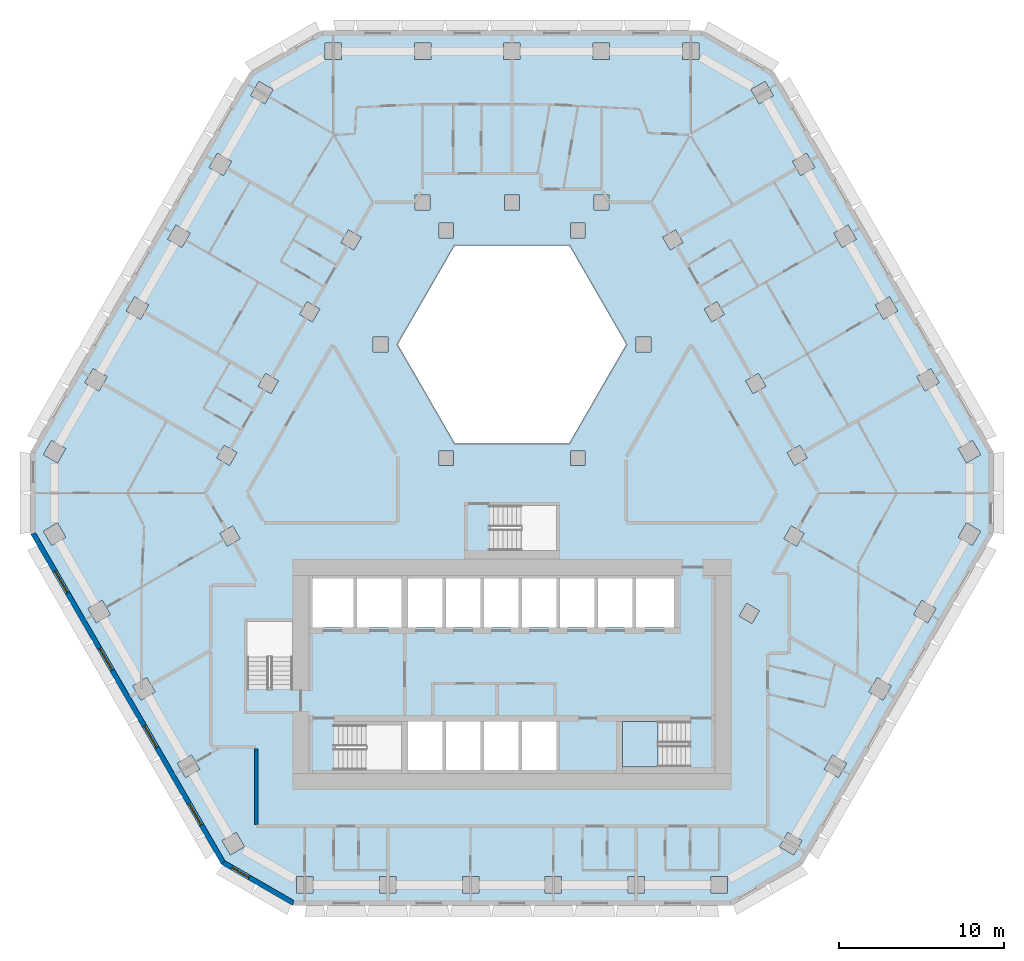
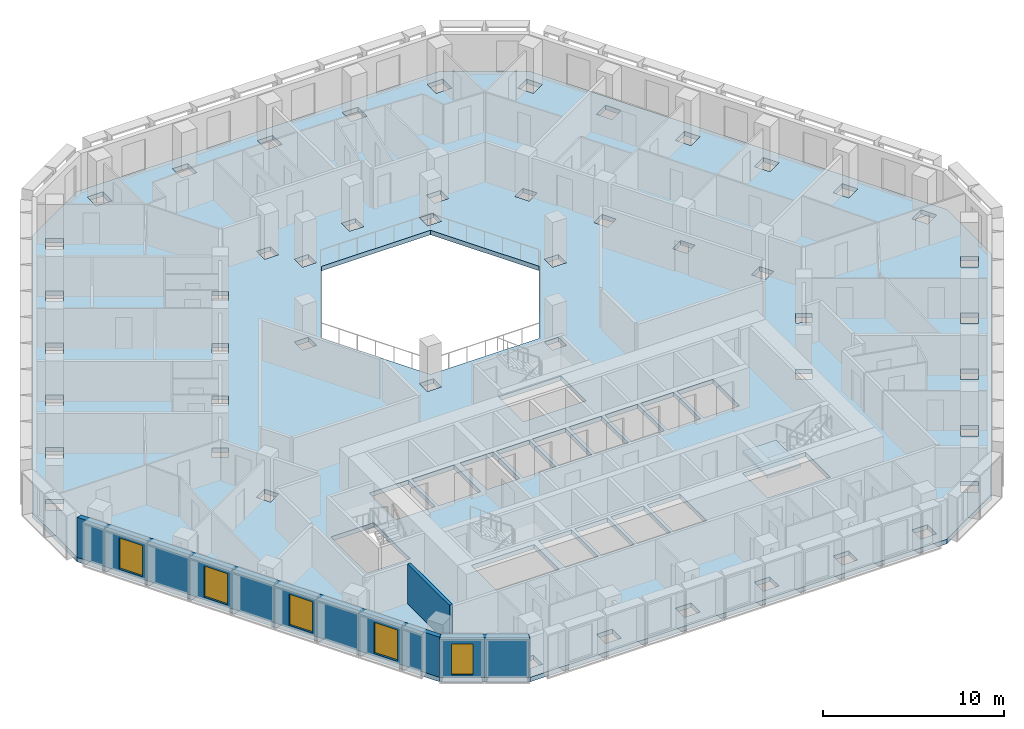
# One storey, part 2 of 15: 5 windows, 3 walls, 2 slabs, 5 openings, 1 element without a shape of its own.
"""IFC4 building model written with IfcOpenShell, lengths in metres."""

from ifc_helpers import new_model, si_unit, direction, frame, frame_2d, origin, place, context, subcontext, project, spatial, polyline, rectangle, outline, extrude, material, layer, layer_set, type_object, element, fill, aggregate, save


model = new_model("IFC4")

# Units and contexts
model_context = context("Model", 3, precision=1e-05, world=origin(), true_north=direction((0.0, 1.0)))
body_context = subcontext(model_context, "Body", "Model", "MODEL_VIEW")
ifc_project = project(units=[si_unit("LENGTHUNIT", "METRE"), si_unit("AREAUNIT", "SQUARE_METRE"), si_unit("VOLUMEUNIT", "CUBIC_METRE"), si_unit("PLANEANGLEUNIT", "RADIAN"), si_unit("MASSUNIT", "GRAM", prefix="KILO")], contexts=[model_context])

# Site, building, storey
site_placement = place(None, origin())
site = spatial("IfcSite", under=ifc_project, at=site_placement, CompositionType="ELEMENT")
building_placement = place(site_placement, origin())
building = spatial("IfcBuilding", under=site, at=building_placement, Name="Beryl Residences", CompositionType="ELEMENT")
storey_placement = place(building_placement, frame((0.0, 0.0, 78.0)))
storey = spatial("IfcBuildingStorey", under=building, at=storey_placement, Name="L23", CompositionType="ELEMENT", Elevation=78.0)

# Slab
ifc_material_1 = material(Name="Concrete C40/50", Category="concrete")
ifc_layer_1 = layer(ifc_material_1, 0.300048828125)
ifc_layer_set_1 = layer_set([ifc_layer_1], Name="SL7 PT floor slab 300 mm C40/50")
slab_type_1 = type_object("IfcSlabType", Name="SL7 PT floor slab 300 mm C40/50", PredefinedType="FLOOR", material=ifc_layer_set_1)
slab_1_placement = place(storey_placement, frame((0.0, 0.0, -0.300048828125)))
element("IfcSlab", 1, at=slab_1_placement, inside=storey, type_object=slab_type_1, Name="L23 slab 1", PredefinedType="FLOOR", context=body_context, shape_type="SweptSolid", body=[
    extrude(outline(polyline([(29.156982421875, -3.5), (17.60888671875, -23.5), (13.279052734375, -26.0), (-13.279052734375, -26.0), (-17.60888671875, -23.5), (-29.156982421875, -3.5), (-29.156982421875, 1.5), (-15.876953125, 24.5), (-11.547119140625, 27.0), (11.547119140625, 27.0), (15.876953125, 24.5), (29.156982421875, 1.5), (29.156982421875, -3.5)]), holes=[polyline([(28.39697265625, 1.31591796875), (27.89697265625, 2.181884765625), (27.031005859375, 1.681884765625), (27.531005859375, 0.81591796875), (28.39697265625, 1.31591796875)]), polyline([(28.39697265625, -3.31591796875), (27.531005859375, -2.81591796875), (27.031005859375, -3.681884765625), (27.89697265625, -4.181884765625), (28.39697265625, -3.31591796875)]), polyline([(25.385009765625, 6.532958984375), (24.51904296875, 6.032958984375), (25.01904296875, 5.1669921875), (25.885009765625, 5.6669921875), (25.385009765625, 6.532958984375)]), polyline([(25.68994140625, -8.00390625), (24.823974609375, -7.50390625), (24.323974609375, -8.3701171875), (25.18994140625, -8.8701171875), (25.68994140625, -8.00390625)]), polyline([(22.873046875, 10.883056640625), (22.007080078125, 10.383056640625), (22.507080078125, 9.51708984375), (23.373046875, 10.01708984375), (22.873046875, 10.883056640625)]), polyline([(22.116943359375, -12.19189453125), (21.616943359375, -13.05810546875), (22.48291015625, -13.55810546875), (22.98291015625, -12.69189453125), (22.116943359375, -12.19189453125)]), polyline([(20.362060546875, 15.23291015625), (19.49609375, 14.73291015625), (19.99609375, 13.866943359375), (20.862060546875, 14.366943359375), (20.362060546875, 15.23291015625)]), polyline([(19.777099609375, -18.24609375), (20.277099609375, -17.3798828125), (19.410888671875, -16.8798828125), (18.910888671875, -17.74609375), (19.777099609375, -18.24609375)]), polyline([(17.85009765625, 19.5830078125), (16.98388671875, 19.0830078125), (17.48388671875, 18.217041015625), (18.35009765625, 18.717041015625), (17.85009765625, 19.5830078125)]), polyline([(17.443115234375, 1.888916015625), (16.6630859375, 1.43896484375), (17.113037109375, 0.658935546875), (17.89306640625, 1.10888671875), (17.443115234375, 1.888916015625)]), polyline([(17.697998046875, -3.447021484375), (16.91796875, -2.9970703125), (16.468017578125, -3.777099609375), (17.248046875, -4.22705078125), (17.697998046875, -3.447021484375)]), polyline([(17.570068359375, -22.068115234375), (16.7041015625, -21.568115234375), (16.2041015625, -22.43408203125), (17.070068359375, -22.93408203125), (17.570068359375, -22.068115234375)]), polyline([(15.839111328125, 23.06689453125), (15.339111328125, 23.93310546875), (14.472900390625, 23.43310546875), (14.972900390625, 22.56689453125), (15.839111328125, 23.06689453125)]), polyline([(14.930908203125, 6.239990234375), (14.15087890625, 5.7900390625), (14.60107421875, 5.010009765625), (15.381103515625, 5.4599609375), (14.930908203125, 6.239990234375)]), polyline([(14.990966796875, -8.135009765625), (14.2109375, -7.68505859375), (13.760986328125, -8.465087890625), (14.541015625, -8.9150390625), (14.990966796875, -8.135009765625)]), polyline([(13.05810546875, -25.25), (13.05810546875, -24.25), (12.05810546875, -24.25), (12.05810546875, -25.25), (13.05810546875, -25.25)]), polyline([(12.419921875, 10.590087890625), (11.639892578125, 10.139892578125), (12.090087890625, 9.360107421875), (12.8701171875, 9.81005859375), (12.419921875, 10.590087890625)]), polyline([(11.324951171875, 26.25), (10.324951171875, 26.25), (10.324951171875, 25.25), (11.324951171875, 25.25), (11.324951171875, 26.25)]), polyline([(10.699951171875, -14.85009765625), (6.699951171875, -14.85009765625), (6.699951171875, -17.60009765625), (10.699951171875, -17.60009765625), (10.699951171875, -14.85009765625)]), polyline([(9.1279296875, 14.489990234375), (9.577880859375, 13.7099609375), (10.35791015625, 14.159912109375), (9.907958984375, 14.93994140625), (9.1279296875, 14.489990234375)]), polyline([(9.800048828125, -6.199951171875), (7.5, -6.199951171875), (7.5, -9.14990234375), (9.800048828125, -9.14990234375), (9.800048828125, -6.199951171875)]), polyline([(8.4169921875, 7.550048828125), (8.4169921875, 8.449951171875), (7.51708984375, 8.449951171875), (7.51708984375, 7.550048828125), (8.4169921875, 7.550048828125)]), polyline([(8.034912109375, -25.25), (8.034912109375, -24.25), (7.034912109375, -24.25), (7.034912109375, -25.25), (8.034912109375, -25.25)]), polyline([(5.199951171875, -6.199951171875), (5.199951171875, -9.14990234375), (7.300048828125, -9.14990234375), (7.300048828125, -6.199951171875), (5.199951171875, -6.199951171875)]), polyline([(3.464111328125, 14.0), (-3.464111328125, 14.0), (-6.92822265625, 8.0), (-3.464111328125, 2.0), (3.464111328125, 2.0), (6.92822265625, 8.0), (3.464111328125, 14.0)]), polyline([(4.912109375, 26.25), (4.912109375, 25.25), (5.912109375, 25.25), (5.912109375, 26.25), (4.912109375, 26.25)]), polyline([(4.9619140625, 17.050048828125), (4.9619140625, 16.14990234375), (5.862060546875, 16.14990234375), (5.862060546875, 17.050048828125), (4.9619140625, 17.050048828125)]), polyline([(2.89990234375, -9.14990234375), (5.0, -9.14990234375), (5.0, -6.199951171875), (2.89990234375, -6.199951171875), (2.89990234375, -9.14990234375)]), polyline([(4.43408203125, 14.449951171875), (4.43408203125, 15.35009765625), (3.533935546875, 15.35009765625), (3.533935546875, 14.449951171875), (4.43408203125, 14.449951171875)]), polyline([(4.43408203125, 0.64990234375), (4.43408203125, 1.550048828125), (3.533935546875, 1.550048828125), (3.533935546875, 0.64990234375), (4.43408203125, 0.64990234375)]), polyline([(2.011962890625, -25.25), (3.011962890625, -25.25), (3.011962890625, -24.25), (2.011962890625, -24.25), (2.011962890625, -25.25)]), polyline([(0.60009765625, -6.199951171875), (0.60009765625, -9.14990234375), (2.699951171875, -9.14990234375), (2.699951171875, -6.199951171875), (0.60009765625, -6.199951171875)]), polyline([(0.60009765625, -17.800048828125), (2.699951171875, -17.800048828125), (2.699951171875, -14.85009765625), (0.60009765625, -14.85009765625), (0.60009765625, -17.800048828125)]), polyline([(-1.300048828125, -1.75), (-1.300048828125, -4.5), (2.699951171875, -4.5), (2.699951171875, -1.75), (-1.300048828125, -1.75)]), polyline([(-0.5009765625, 25.25), (0.4990234375, 25.25), (0.4990234375, 26.25), (-0.5009765625, 26.25), (-0.5009765625, 25.25)]), polyline([(-0.450927734375, 17.050048828125), (-0.450927734375, 16.14990234375), (0.448974609375, 16.14990234375), (0.448974609375, 17.050048828125), (-0.450927734375, 17.050048828125)]), polyline([(-1.699951171875, -9.14990234375), (0.39990234375, -9.14990234375), (0.39990234375, -6.199951171875), (-1.699951171875, -6.199951171875), (-1.699951171875, -9.14990234375)]), polyline([(-1.699951171875, -17.800048828125), (0.39990234375, -17.800048828125), (0.39990234375, -14.85009765625), (-1.699951171875, -14.85009765625), (-1.699951171875, -17.800048828125)]), polyline([(-4.0, -9.14990234375), (-1.89990234375, -9.14990234375), (-1.89990234375, -6.199951171875), (-4.0, -6.199951171875), (-4.0, -9.14990234375)]), polyline([(-4.0, -17.800048828125), (-1.89990234375, -17.800048828125), (-1.89990234375, -14.85009765625), (-4.0, -14.85009765625), (-4.0, -17.800048828125)]), polyline([(-2.010986328125, -25.25), (-2.010986328125, -24.25), (-3.010986328125, -24.25), (-3.010986328125, -25.25), (-2.010986328125, -25.25)]), polyline([(-3.533935546875, 14.449951171875), (-3.533935546875, 15.35009765625), (-4.43408203125, 15.35009765625), (-4.43408203125, 14.449951171875), (-3.533935546875, 14.449951171875)]), polyline([(-3.533935546875, 0.64990234375), (-3.533935546875, 1.550048828125), (-4.43408203125, 1.550048828125), (-4.43408203125, 0.64990234375), (-3.533935546875, 0.64990234375)]), polyline([(-6.300048828125, -17.800048828125), (-4.199951171875, -17.800048828125), (-4.199951171875, -14.85009765625), (-6.300048828125, -14.85009765625), (-6.300048828125, -17.800048828125)]), polyline([(-6.300048828125, -9.14990234375), (-4.199951171875, -9.14990234375), (-4.199951171875, -6.199951171875), (-6.300048828125, -6.199951171875), (-6.300048828125, -9.14990234375)]), polyline([(-5.9140625, 26.25), (-5.9140625, 25.25), (-4.9140625, 25.25), (-4.9140625, 26.25), (-5.9140625, 26.25)]), polyline([(-5.864013671875, 16.14990234375), (-4.964111328125, 16.14990234375), (-4.964111328125, 17.050048828125), (-5.864013671875, 17.050048828125), (-5.864013671875, 16.14990234375)]), polyline([(-6.699951171875, -17.800048828125), (-6.699951171875, -15.050048828125), (-10.699951171875, -15.050048828125), (-10.699951171875, -17.800048828125), (-6.699951171875, -17.800048828125)]), polyline([(-9.39990234375, -9.14990234375), (-6.699951171875, -9.14990234375), (-6.699951171875, -6.199951171875), (-9.39990234375, -6.199951171875), (-9.39990234375, -9.14990234375)]), polyline([(-7.033935546875, -25.25), (-7.033935546875, -24.25), (-8.033935546875, -24.25), (-8.033935546875, -25.25), (-7.033935546875, -25.25)]), polyline([(-8.4169921875, 7.550048828125), (-7.51708984375, 7.550048828125), (-7.51708984375, 8.449951171875), (-8.4169921875, 8.449951171875), (-8.4169921875, 7.550048828125)]), polyline([(-9.577880859375, 13.7099609375), (-9.1279296875, 14.489990234375), (-9.907958984375, 14.93994140625), (-10.35791015625, 14.159912109375), (-9.577880859375, 13.7099609375)]), polyline([(-12.10009765625, -9.14990234375), (-9.60009765625, -9.14990234375), (-9.60009765625, -6.199951171875), (-12.10009765625, -6.199951171875), (-12.10009765625, -9.14990234375)]), polyline([(-11.326904296875, 26.25), (-11.326904296875, 25.25), (-10.326904296875, 25.25), (-10.326904296875, 26.25), (-11.326904296875, 26.25)]), polyline([(-12.868896484375, 9.81005859375), (-12.089111328125, 9.360107421875), (-11.638916015625, 10.139892578125), (-12.4189453125, 10.590087890625), (-12.868896484375, 9.81005859375)]), polyline([(-12.056884765625, -24.25), (-13.056884765625, -24.25), (-13.056884765625, -25.25), (-12.056884765625, -25.25), (-12.056884765625, -24.25)]), polyline([(-13.300048828125, -8.800048828125), (-16.050048828125, -8.800048828125), (-16.050048828125, -12.800048828125), (-13.300048828125, -12.800048828125), (-13.300048828125, -8.800048828125)]), polyline([(-15.381103515625, 5.4599609375), (-14.60107421875, 5.010009765625), (-14.15087890625, 5.7900390625), (-14.930908203125, 6.239990234375), (-15.381103515625, 5.4599609375)]), polyline([(-14.971923828125, 22.568115234375), (-14.471923828125, 23.43408203125), (-15.337890625, 23.93408203125), (-15.837890625, 23.068115234375), (-14.971923828125, 22.568115234375)]), polyline([(-17.070068359375, -22.93408203125), (-16.2041015625, -22.43408203125), (-16.7041015625, -21.568115234375), (-17.570068359375, -22.068115234375), (-17.070068359375, -22.93408203125)]), polyline([(-17.248046875, -4.22705078125), (-16.468017578125, -3.777099609375), (-16.91796875, -2.9970703125), (-17.697998046875, -3.447021484375), (-17.248046875, -4.22705078125)]), polyline([(-17.89208984375, 1.110107421875), (-17.112060546875, 0.659912109375), (-16.662109375, 1.43994140625), (-17.44189453125, 1.889892578125), (-17.89208984375, 1.110107421875)]), polyline([(-18.35009765625, 18.717041015625), (-17.48388671875, 18.217041015625), (-16.98388671875, 19.0830078125), (-17.85009765625, 19.5830078125), (-18.35009765625, 18.717041015625)]), polyline([(-19.777099609375, -18.24609375), (-18.910888671875, -17.74609375), (-19.410888671875, -16.8798828125), (-20.277099609375, -17.3798828125), (-19.777099609375, -18.24609375)]), polyline([(-20.861083984375, 14.366943359375), (-19.9951171875, 13.866943359375), (-19.4951171875, 14.73291015625), (-20.361083984375, 15.23291015625), (-20.861083984375, 14.366943359375)]), polyline([(-21.616943359375, -13.05810546875), (-22.116943359375, -12.19189453125), (-22.98291015625, -12.69189453125), (-22.48291015625, -13.55810546875), (-21.616943359375, -13.05810546875)]), polyline([(-23.373046875, 10.01708984375), (-22.507080078125, 9.51708984375), (-22.007080078125, 10.383056640625), (-22.873046875, 10.883056640625), (-23.373046875, 10.01708984375)]), polyline([(-25.18994140625, -8.8701171875), (-24.323974609375, -8.3701171875), (-24.823974609375, -7.50390625), (-25.68994140625, -8.00390625), (-25.18994140625, -8.8701171875)]), polyline([(-25.385009765625, 6.532958984375), (-25.885009765625, 5.6669921875), (-25.01904296875, 5.1669921875), (-24.51904296875, 6.032958984375), (-25.385009765625, 6.532958984375)]), polyline([(-28.39599609375, 1.31689453125), (-27.530029296875, 0.81689453125), (-27.030029296875, 1.68310546875), (-27.89599609375, 2.18310546875), (-28.39599609375, 1.31689453125)]), polyline([(-27.031005859375, -3.681884765625), (-27.531005859375, -2.81591796875), (-28.39697265625, -3.31591796875), (-27.89697265625, -4.181884765625), (-27.031005859375, -3.681884765625)])]), origin(), (0.0, 0.0, 1.0), 0.300048828125),
])

# Stair, slab
ifc_material_2 = material(Name="Concrete C40/50", Category="concrete")
stair_type = type_object("IfcStairType", Name="ST1 protected exit stair, half-turn, 1300 mm flights", PredefinedType="HALF_TURN_STAIR", material=ifc_material_2)
stair_placement = place(storey_placement, origin())
stair = element("IfcStair", 2, at=stair_placement, inside=storey, type_object=stair_type, Name="L23 PROTECTED EXIT STAIR ST-3", PredefinedType="HALF_TURN_STAIR")
ifc_material_3 = material(Name="Concrete C40/50", Category="concrete")
ifc_layer_2 = layer(ifc_material_3, 0.199951171875)
ifc_layer_set_2 = layer_set([ifc_layer_2], Name="SLD1 stair landing 200 mm")
slab_type_2 = type_object("IfcSlabType", Name="SLD1 stair landing 200 mm", PredefinedType="LANDING", material=ifc_layer_set_2)
slab_2_placement = place(storey_placement, frame((0.0, 0.0, 1.300048828125)))
slab_2 = element("IfcSlab", 3, at=slab_2_placement, type_object=slab_type_2, Name="ST-3 landing 1", PredefinedType="LANDING", context=body_context, shape_type="SweptSolid", body=[
    extrude(outline(polyline([(8.840087890625, -14.85009765625), (6.699951171875, -14.85009765625), (6.699951171875, -17.60009765625), (8.840087890625, -17.60009765625), (8.840087890625, -14.85009765625)])), origin(), (0.0, 0.0, 1.0), 0.199951171875),
])
aggregate(stair, [slab_2])

# Wall, openings, windows
ifc_material_4 = material(Name="Composite metal panel with mineral wool insulation")
ifc_layer_3 = layer(ifc_material_4, 0.300048828125)
ifc_layer_set_3 = layer_set([ifc_layer_3], Name="ES1 pale metal composite panel wall 300 mm")
wall_type_1 = type_object("IfcWallType", Name="ES1 pale metal composite panel wall 300 mm", PredefinedType="SOLIDWALL", material=ifc_layer_set_3)
wall_1_placement = place(storey_placement, frame((-29.027099609375, -3.425048828125, 0.0), z_axis=(0.0, 0.0, 1.0), x_axis=(0.500035407905, -0.866004960056, 0.0)))
wall_1 = element("IfcWall", 4, at=wall_1_placement, inside=storey, type_object=wall_type_1, Name="ES1 external wall L23 SW", PredefinedType="SOLIDWALL", context=body_context, shape_type="SweptSolid", body=[
    extrude(outline(polyline([(0.0, -0.14990234375), (23.094482421875, -0.14990234375), (23.01416015625, 0.14990234375), (0.080322265625, 0.14990234375), (0.0, -0.14990234375)])), origin(), (0.0, 0.0, 1.0), 2.699951171875),
])
opening_1_placement = place(wall_1_placement, frame((2.677001953125, 0.0, 0.14990234375)))
opening_1 = element("IfcOpeningElement", 5, at=opening_1_placement, cuts=wall_1, Name="Opening W1", PredefinedType="OPENING", context=body_context, shape_type="SweptSolid", body=[
    extrude(rectangle(XDim=1.5, YDim=2.10009765625, at=frame_2d((0.75, 1.050048828125))), frame((0.0, 0.159912109375, 0.0), z_axis=(0.0, -1.0, 0.0), x_axis=(1.0, 0.0, 0.0)), (0.0, 0.0, 1.0), 0.320068359375),
])
opening_2_placement = place(wall_1_placement, frame((8.091064453125, 0.0, 0.14990234375)))
opening_2 = element("IfcOpeningElement", 6, at=opening_2_placement, cuts=wall_1, Name="Opening W1", PredefinedType="OPENING", context=body_context, shape_type="SweptSolid", body=[
    extrude(rectangle(XDim=1.5, YDim=2.10009765625, at=frame_2d((0.75, 1.050048828125))), frame((0.0, 0.159912109375, 0.0), z_axis=(0.0, -1.0, 0.0), x_axis=(1.0, 0.0, 0.0)), (0.0, 0.0, 1.0), 0.320068359375),
])
opening_3_placement = place(wall_1_placement, frame((13.50390625, 0.0, 0.14990234375)))
opening_3 = element("IfcOpeningElement", 7, at=opening_3_placement, cuts=wall_1, Name="Opening W1", PredefinedType="OPENING", context=body_context, shape_type="SweptSolid", body=[
    extrude(rectangle(XDim=1.5, YDim=2.10009765625, at=frame_2d((0.75, 1.050048828125))), frame((0.0, 0.159912109375, 0.0), z_axis=(0.0, -1.0, 0.0), x_axis=(1.0, 0.0, 0.0)), (0.0, 0.0, 1.0), 0.320068359375),
])
opening_4_placement = place(wall_1_placement, frame((18.9169921875, 0.0, 0.14990234375)))
opening_4 = element("IfcOpeningElement", 8, at=opening_4_placement, cuts=wall_1, Name="Opening W1", PredefinedType="OPENING", context=body_context, shape_type="SweptSolid", body=[
    extrude(rectangle(XDim=1.5, YDim=2.10009765625, at=frame_2d((0.75, 1.050048828125))), frame((0.0, 0.159912109375, 0.0), z_axis=(0.0, -1.0, 0.0), x_axis=(1.0, 0.0, 0.0)), (0.0, 0.0, 1.0), 0.320068359375),
])
ifc_material_5 = material(Name="Aluminium and clear glass", Category="aluminium")
window_type_1 = type_object("IfcWindowType", Name="W1 cell window 1500 x 2100 mm", PartitioningType="SINGLE_PANEL", PredefinedType="WINDOW", material=ifc_material_5)
window_1_placement = place(opening_1_placement, origin())
window_1 = element("IfcWindow", 9, at=window_1_placement, inside=storey, type_object=window_type_1, Name="W1 window L23 SW 2", OverallHeight=2.10009765625, OverallWidth=1.5, PartitioningType="SINGLE_PANEL", PredefinedType="WINDOW", context=body_context, shape_type="SweptSolid", body=[
    extrude(rectangle(XDim=1.5, YDim=2.10009765625, at=frame_2d((0.75, 1.050048828125))), frame((0.0, 0.030029296875, 0.0), z_axis=(0.0, -1.0, 0.0), x_axis=(1.0, 0.0, 0.0)), (0.0, 0.0, 1.0), 0.06005859375),
])
fill(opening_1, window_1)
window_2_placement = place(opening_2_placement, origin())
window_2 = element("IfcWindow", 10, at=window_2_placement, inside=storey, type_object=window_type_1, Name="W1 window L23 SW 4", OverallHeight=2.10009765625, OverallWidth=1.5, PartitioningType="SINGLE_PANEL", PredefinedType="WINDOW", context=body_context, shape_type="SweptSolid", body=[
    extrude(rectangle(XDim=1.5, YDim=2.10009765625, at=frame_2d((0.75, 1.050048828125))), frame((0.0, 0.030029296875, 0.0), z_axis=(0.0, -1.0, 0.0), x_axis=(1.0, 0.0, 0.0)), (0.0, 0.0, 1.0), 0.06005859375),
])
fill(opening_2, window_2)
window_3_placement = place(opening_3_placement, origin())
window_3 = element("IfcWindow", 11, at=window_3_placement, inside=storey, type_object=window_type_1, Name="W1 window L23 SW 6", OverallHeight=2.10009765625, OverallWidth=1.5, PartitioningType="SINGLE_PANEL", PredefinedType="WINDOW", context=body_context, shape_type="SweptSolid", body=[
    extrude(rectangle(XDim=1.5, YDim=2.10009765625, at=frame_2d((0.75, 1.050048828125))), frame((0.0, 0.030029296875, 0.0), z_axis=(0.0, -1.0, 0.0), x_axis=(1.0, 0.0, 0.0)), (0.0, 0.0, 1.0), 0.06005859375),
])
fill(opening_3, window_3)
window_4_placement = place(opening_4_placement, origin())
window_4 = element("IfcWindow", 12, at=window_4_placement, inside=storey, type_object=window_type_1, Name="W1 window L23 SW 8", OverallHeight=2.10009765625, OverallWidth=1.5, PartitioningType="SINGLE_PANEL", PredefinedType="WINDOW", context=body_context, shape_type="SweptSolid", body=[
    extrude(rectangle(XDim=1.5, YDim=2.10009765625, at=frame_2d((0.75, 1.050048828125))), frame((0.0, 0.030029296875, 0.0), z_axis=(0.0, -1.0, 0.0), x_axis=(1.0, 0.0, 0.0)), (0.0, 0.0, 1.0), 0.06005859375),
])
fill(opening_4, window_4)

# Wall, opening, window
wall_2_placement = place(storey_placement, frame((-17.533935546875, -23.3701171875, 0.0), z_axis=(0.0, 0.0, 1.0), x_axis=(0.866010750942, -0.50002537861, 0.0)))
wall_2 = element("IfcWall", 13, at=wall_2_placement, inside=storey, type_object=wall_type_1, Name="ES1 external wall L23 SW-S", PredefinedType="SOLIDWALL", context=body_context, shape_type="SweptSolid", body=[
    extrude(outline(polyline([(0.0, -0.14990234375), (4.999755859375, -0.14990234375), (4.91943359375, 0.14990234375), (0.080322265625, 0.14990234375), (0.0, -0.14990234375)])), origin(), (0.0, 0.0, 1.0), 2.699951171875),
])
opening_5_placement = place(wall_2_placement, frame((0.64990234375, 0.0, 0.14990234375)))
opening_5 = element("IfcOpeningElement", 14, at=opening_5_placement, cuts=wall_2, Name="Opening W2", PredefinedType="OPENING", context=body_context, shape_type="SweptSolid", body=[
    extrude(rectangle(XDim=1.199951171875, YDim=2.10009765625, at=frame_2d((0.60009765625, 1.050048828125))), frame((0.0, 0.159912109375, 0.0), z_axis=(0.0, -1.0, 0.0), x_axis=(1.0, 0.0, 0.0)), (0.0, 0.0, 1.0), 0.320068359375),
])
ifc_material_6 = material(Name="Aluminium and clear glass", Category="aluminium")
window_type_2 = type_object("IfcWindowType", Name="W2 chamfer window 1200 x 2100 mm", PartitioningType="SINGLE_PANEL", PredefinedType="WINDOW", material=ifc_material_6)
window_5_placement = place(opening_5_placement, origin())
window_5 = element("IfcWindow", 15, at=window_5_placement, inside=storey, type_object=window_type_2, Name="W2 window L23 SW-S 1", OverallHeight=2.10009765625, OverallWidth=1.199951171875, PartitioningType="SINGLE_PANEL", PredefinedType="WINDOW", context=body_context, shape_type="SweptSolid", body=[
    extrude(rectangle(XDim=1.199951171875, YDim=2.10009765625, at=frame_2d((0.60009765625, 1.050048828125))), frame((0.0, 0.030029296875, 0.0), z_axis=(0.0, -1.0, 0.0), x_axis=(1.0, 0.0, 0.0)), (0.0, 0.0, 1.0), 0.06005859375),
])
fill(opening_5, window_5)

# Wall
ifc_material_7 = material(Name="Double stud gypsum board wall")
ifc_layer_4 = layer(ifc_material_7, 0.199951171875)
ifc_layer_set_4 = layer_set([ifc_layer_4], Name="PT4 corridor wall 200 mm double stud")
wall_type_2 = type_object("IfcWallType", Name="PT4 corridor wall 200 mm double stud", PredefinedType="PARTITIONING", material=ifc_layer_set_4)
wall_3_placement = place(storey_placement, frame((-15.5, -16.5009765625, 0.0), z_axis=(0.0, 0.0, 1.0), x_axis=(0.0, -1.0, 0.0)))
element("IfcWall", 16, at=wall_3_placement, inside=storey, type_object=wall_type_2, Name="Wall PT4 L23 007", PredefinedType="PARTITIONING", context=body_context, shape_type="SweptSolid", body=[
    extrude(rectangle(XDim=4.59814453125, YDim=0.199951171875, at=frame_2d((2.299072265625, 0.0))), origin(), (0.0, 0.0, 1.0), 2.699951171875),
])

save(model, "model.ifc")
